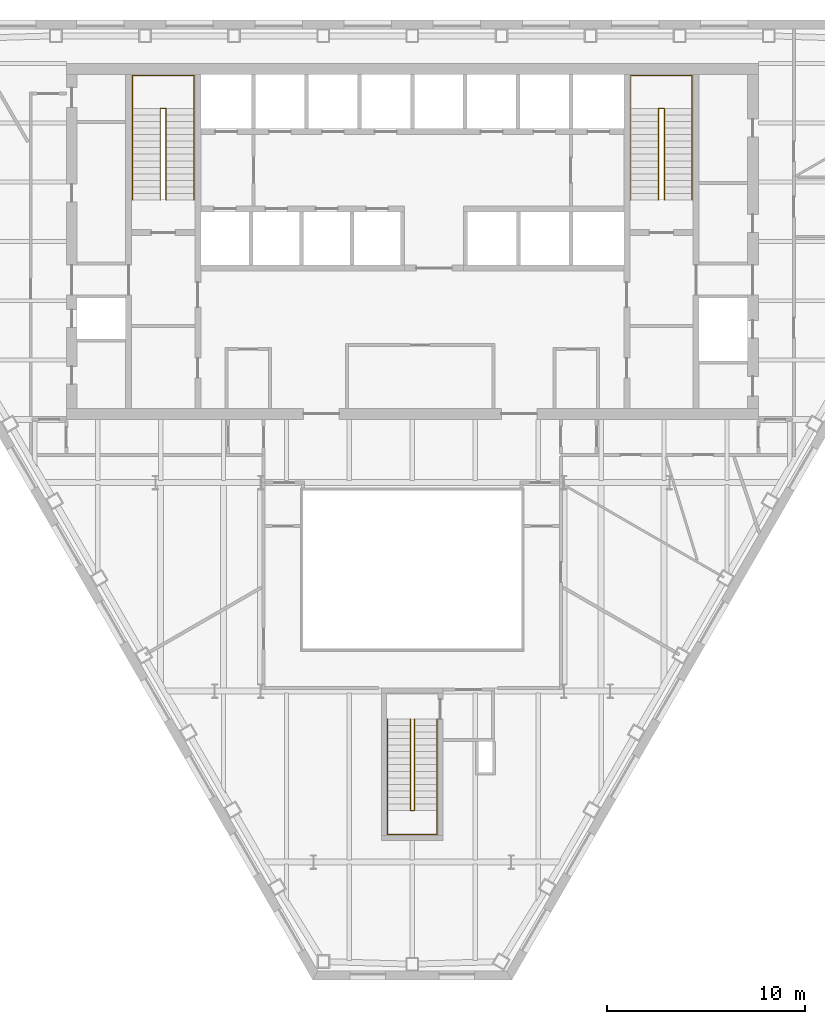
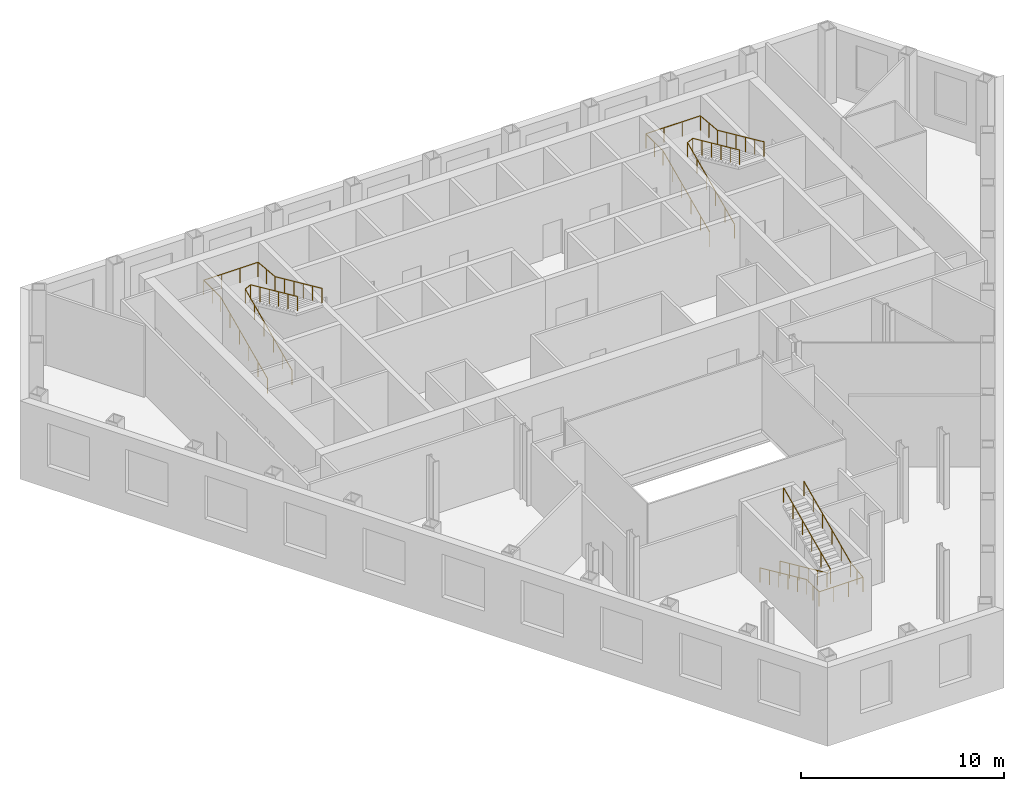
# One storey, part 11 of 11: 6 railings.
"""IFC4 building model written with IfcOpenShell, lengths in metres."""

from ifc_helpers import new_model, si_unit, direction, frame, origin, origin_2d, place, context, subcontext, project, spatial, circle, extrude, material, type_object, element, save


model = new_model("IFC4")

# Units and contexts
model_context = context("Model", 3, precision=1e-05, world=origin(), true_north=direction((0.0, 1.0)))
body_context = subcontext(model_context, "Body", "Model", "MODEL_VIEW")
ifc_project = project(units=[si_unit("LENGTHUNIT", "METRE"), si_unit("AREAUNIT", "SQUARE_METRE"), si_unit("VOLUMEUNIT", "CUBIC_METRE"), si_unit("PLANEANGLEUNIT", "RADIAN"), si_unit("MASSUNIT", "GRAM", prefix="KILO")], contexts=[model_context])

# Site, building, storey
site_placement = place(None, origin())
site = spatial("IfcSite", under=ifc_project, at=site_placement, CompositionType="ELEMENT")
building_placement = place(site_placement, origin())
building = spatial("IfcBuilding", under=site, at=building_placement, Name="Njiva Tower", CompositionType="ELEMENT")
storey_placement = place(building_placement, frame((0.0, 0.0, 106.8)))
storey = spatial("IfcBuildingStorey", under=building, at=storey_placement, Name="L22", CompositionType="ELEMENT", Elevation=106.8)

# Railings
ifc_material = material(Name="Stainless steel", Category="steel")
railing_type = type_object("IfcRailingType", Name="RL1 Stair handrail 900", PredefinedType="HANDRAIL", material=ifc_material)
railing_1_placement = place(storey_placement, frame((-14.15, 11.1, 0.15)))
element("IfcRailing", 1, at=railing_1_placement, inside=storey, type_object=railing_type, Name="Stair A handrail", PredefinedType="HANDRAIL", context=body_context, shape_type="SweptSolid", body=[
    extrude(circle(Radius=0.024, at=origin_2d()), frame((0.0, 0.0, 0.876), z_axis=(0.0, 0.910366477463, 0.413802944301), x_axis=(-1.0, 0.0, 0.0)), (0.0, 0.0, 1.0), 5.0749),
    extrude(circle(Radius=0.024, at=origin_2d()), frame((0.0, 4.62, 2.976), z_axis=(0.0, 1.0, 0.0), x_axis=(-1.0, 0.0, 0.0)), (0.0, 0.0, 1.0), 1.68),
    extrude(circle(Radius=0.024, at=origin_2d()), frame((0.0, 6.3, 2.976), z_axis=(1.0, 0.0, 0.0), x_axis=(0.0, 1.0, 0.0)), (0.0, 0.0, 1.0), 3.1),
    extrude(circle(Radius=0.024, at=origin_2d()), frame((3.1, 6.3, 2.976), z_axis=(0.0, -0.996037705314, 0.088931937975), x_axis=(1.0, 0.0, 0.0)), (0.0, 0.0, 1.0), 1.6867),
    extrude(circle(Radius=0.024, at=origin_2d()), frame((3.1, 4.62, 3.126), z_axis=(0.0, -0.910366477463, 0.413802944301), x_axis=(1.0, 0.0, 0.0)), (0.0, 0.0, 1.0), 5.0749),
    extrude(circle(Radius=0.021, at=origin_2d()), origin(), (0.0, 0.0, 1.0), 0.852),
    extrude(circle(Radius=0.021, at=origin_2d()), frame((0.0, 0.924, 0.42)), (0.0, 0.0, 1.0), 0.852),
    extrude(circle(Radius=0.021, at=origin_2d()), frame((0.0, 1.848, 0.84)), (0.0, 0.0, 1.0), 0.852),
    extrude(circle(Radius=0.021, at=origin_2d()), frame((0.0, 2.772, 1.26)), (0.0, 0.0, 1.0), 0.852),
    extrude(circle(Radius=0.021, at=origin_2d()), frame((0.0, 3.696, 1.68)), (0.0, 0.0, 1.0), 0.852),
    extrude(circle(Radius=0.021, at=origin_2d()), frame((0.0, 4.62, 2.1)), (0.0, 0.0, 1.0), 0.852),
    extrude(circle(Radius=0.021, at=origin_2d()), frame((0.0, 5.46, 2.1)), (0.0, 0.0, 1.0), 0.852),
    extrude(circle(Radius=0.021, at=origin_2d()), frame((0.0, 6.3, 2.1)), (0.0, 0.0, 1.0), 0.852),
    extrude(circle(Radius=0.021, at=origin_2d()), frame((1.0333, 6.3, 2.1)), (0.0, 0.0, 1.0), 0.852),
    extrude(circle(Radius=0.021, at=origin_2d()), frame((2.0667, 6.3, 2.1)), (0.0, 0.0, 1.0), 0.852),
    extrude(circle(Radius=0.021, at=origin_2d()), frame((3.1, 6.3, 2.1)), (0.0, 0.0, 1.0), 0.852),
    extrude(circle(Radius=0.021, at=origin_2d()), frame((3.1, 5.46, 2.175)), (0.0, 0.0, 1.0), 0.852),
    extrude(circle(Radius=0.021, at=origin_2d()), frame((3.1, 4.62, 2.25)), (0.0, 0.0, 1.0), 0.852),
    extrude(circle(Radius=0.021, at=origin_2d()), frame((3.1, 3.696, 2.67)), (0.0, 0.0, 1.0), 0.852),
    extrude(circle(Radius=0.021, at=origin_2d()), frame((3.1, 2.772, 3.09)), (0.0, 0.0, 1.0), 0.852),
    extrude(circle(Radius=0.021, at=origin_2d()), frame((3.1, 1.848, 3.51)), (0.0, 0.0, 1.0), 0.852),
    extrude(circle(Radius=0.021, at=origin_2d()), frame((3.1, 0.924, 3.93)), (0.0, 0.0, 1.0), 0.852),
    extrude(circle(Radius=0.021, at=origin_2d()), frame((3.1, 0.0, 4.35)), (0.0, 0.0, 1.0), 0.852),
])
railing_2_placement = place(storey_placement, frame((-12.75, 11.1, 0.15)))
element("IfcRailing", 2, at=railing_2_placement, inside=storey, type_object=railing_type, Name="Stair A handrail", PredefinedType="HANDRAIL", context=body_context, shape_type="SweptSolid", body=[
    extrude(circle(Radius=0.024, at=origin_2d()), frame((0.0, 0.0, 0.876), z_axis=(0.0, 0.910366477463, 0.413802944301), x_axis=(-1.0, 0.0, 0.0)), (0.0, 0.0, 1.0), 5.0749),
    extrude(circle(Radius=0.024, at=origin_2d()), frame((0.0, 4.62, 2.976), z_axis=(0.894427191, 0.0, 0.4472135955), x_axis=(0.0, 1.0, 0.0)), (0.0, 0.0, 1.0), 0.3354),
    extrude(circle(Radius=0.024, at=origin_2d()), frame((0.3, 4.62, 3.126), z_axis=(0.0, -0.910366477463, 0.413802944301), x_axis=(1.0, 0.0, 0.0)), (0.0, 0.0, 1.0), 5.0749),
    extrude(circle(Radius=0.021, at=origin_2d()), origin(), (0.0, 0.0, 1.0), 0.852),
    extrude(circle(Radius=0.021, at=origin_2d()), frame((0.0, 0.924, 0.42)), (0.0, 0.0, 1.0), 0.852),
    extrude(circle(Radius=0.021, at=origin_2d()), frame((0.0, 1.848, 0.84)), (0.0, 0.0, 1.0), 0.852),
    extrude(circle(Radius=0.021, at=origin_2d()), frame((0.0, 2.772, 1.26)), (0.0, 0.0, 1.0), 0.852),
    extrude(circle(Radius=0.021, at=origin_2d()), frame((0.0, 3.696, 1.68)), (0.0, 0.0, 1.0), 0.852),
    extrude(circle(Radius=0.021, at=origin_2d()), frame((0.0, 4.62, 2.1)), (0.0, 0.0, 1.0), 0.852),
    extrude(circle(Radius=0.021, at=origin_2d()), frame((0.3, 4.62, 2.25)), (0.0, 0.0, 1.0), 0.852),
    extrude(circle(Radius=0.021, at=origin_2d()), frame((0.3, 3.696, 2.67)), (0.0, 0.0, 1.0), 0.852),
    extrude(circle(Radius=0.021, at=origin_2d()), frame((0.3, 2.772, 3.09)), (0.0, 0.0, 1.0), 0.852),
    extrude(circle(Radius=0.021, at=origin_2d()), frame((0.3, 1.848, 3.51)), (0.0, 0.0, 1.0), 0.852),
    extrude(circle(Radius=0.021, at=origin_2d()), frame((0.3, 0.924, 3.93)), (0.0, 0.0, 1.0), 0.852),
    extrude(circle(Radius=0.021, at=origin_2d()), frame((0.3, 0.0, 4.35)), (0.0, 0.0, 1.0), 0.852),
])
railing_3_placement = place(storey_placement, frame((11.05, 11.1, 0.15)))
element("IfcRailing", 3, at=railing_3_placement, inside=storey, type_object=railing_type, Name="Stair B handrail", PredefinedType="HANDRAIL", context=body_context, shape_type="SweptSolid", body=[
    extrude(circle(Radius=0.024, at=origin_2d()), frame((0.0, 0.0, 0.876), z_axis=(0.0, 0.910366477463, 0.413802944301), x_axis=(-1.0, 0.0, 0.0)), (0.0, 0.0, 1.0), 5.0749),
    extrude(circle(Radius=0.024, at=origin_2d()), frame((0.0, 4.62, 2.976), z_axis=(0.0, 1.0, 0.0), x_axis=(-1.0, 0.0, 0.0)), (0.0, 0.0, 1.0), 1.68),
    extrude(circle(Radius=0.024, at=origin_2d()), frame((0.0, 6.3, 2.976), z_axis=(1.0, 0.0, 0.0), x_axis=(0.0, 1.0, 0.0)), (0.0, 0.0, 1.0), 3.1),
    extrude(circle(Radius=0.024, at=origin_2d()), frame((3.1, 6.3, 2.976), z_axis=(0.0, -0.996037705314, 0.088931937975), x_axis=(1.0, 0.0, 0.0)), (0.0, 0.0, 1.0), 1.6867),
    extrude(circle(Radius=0.024, at=origin_2d()), frame((3.1, 4.62, 3.126), z_axis=(0.0, -0.910366477463, 0.413802944301), x_axis=(1.0, 0.0, 0.0)), (0.0, 0.0, 1.0), 5.0749),
    extrude(circle(Radius=0.021, at=origin_2d()), origin(), (0.0, 0.0, 1.0), 0.852),
    extrude(circle(Radius=0.021, at=origin_2d()), frame((0.0, 0.924, 0.42)), (0.0, 0.0, 1.0), 0.852),
    extrude(circle(Radius=0.021, at=origin_2d()), frame((0.0, 1.848, 0.84)), (0.0, 0.0, 1.0), 0.852),
    extrude(circle(Radius=0.021, at=origin_2d()), frame((0.0, 2.772, 1.26)), (0.0, 0.0, 1.0), 0.852),
    extrude(circle(Radius=0.021, at=origin_2d()), frame((0.0, 3.696, 1.68)), (0.0, 0.0, 1.0), 0.852),
    extrude(circle(Radius=0.021, at=origin_2d()), frame((0.0, 4.62, 2.1)), (0.0, 0.0, 1.0), 0.852),
    extrude(circle(Radius=0.021, at=origin_2d()), frame((0.0, 5.46, 2.1)), (0.0, 0.0, 1.0), 0.852),
    extrude(circle(Radius=0.021, at=origin_2d()), frame((0.0, 6.3, 2.1)), (0.0, 0.0, 1.0), 0.852),
    extrude(circle(Radius=0.021, at=origin_2d()), frame((1.0333, 6.3, 2.1)), (0.0, 0.0, 1.0), 0.852),
    extrude(circle(Radius=0.021, at=origin_2d()), frame((2.0667, 6.3, 2.1)), (0.0, 0.0, 1.0), 0.852),
    extrude(circle(Radius=0.021, at=origin_2d()), frame((3.1, 6.3, 2.1)), (0.0, 0.0, 1.0), 0.852),
    extrude(circle(Radius=0.021, at=origin_2d()), frame((3.1, 5.46, 2.175)), (0.0, 0.0, 1.0), 0.852),
    extrude(circle(Radius=0.021, at=origin_2d()), frame((3.1, 4.62, 2.25)), (0.0, 0.0, 1.0), 0.852),
    extrude(circle(Radius=0.021, at=origin_2d()), frame((3.1, 3.696, 2.67)), (0.0, 0.0, 1.0), 0.852),
    extrude(circle(Radius=0.021, at=origin_2d()), frame((3.1, 2.772, 3.09)), (0.0, 0.0, 1.0), 0.852),
    extrude(circle(Radius=0.021, at=origin_2d()), frame((3.1, 1.848, 3.51)), (0.0, 0.0, 1.0), 0.852),
    extrude(circle(Radius=0.021, at=origin_2d()), frame((3.1, 0.924, 3.93)), (0.0, 0.0, 1.0), 0.852),
    extrude(circle(Radius=0.021, at=origin_2d()), frame((3.1, 0.0, 4.35)), (0.0, 0.0, 1.0), 0.852),
])
railing_4_placement = place(storey_placement, frame((12.45, 11.1, 0.15)))
element("IfcRailing", 4, at=railing_4_placement, inside=storey, type_object=railing_type, Name="Stair B handrail", PredefinedType="HANDRAIL", context=body_context, shape_type="SweptSolid", body=[
    extrude(circle(Radius=0.024, at=origin_2d()), frame((0.0, 0.0, 0.876), z_axis=(0.0, 0.910366477463, 0.413802944301), x_axis=(-1.0, 0.0, 0.0)), (0.0, 0.0, 1.0), 5.0749),
    extrude(circle(Radius=0.024, at=origin_2d()), frame((0.0, 4.62, 2.976), z_axis=(0.894427191, 0.0, 0.4472135955), x_axis=(0.0, 1.0, 0.0)), (0.0, 0.0, 1.0), 0.3354),
    extrude(circle(Radius=0.024, at=origin_2d()), frame((0.3, 4.62, 3.126), z_axis=(0.0, -0.910366477463, 0.413802944301), x_axis=(1.0, 0.0, 0.0)), (0.0, 0.0, 1.0), 5.0749),
    extrude(circle(Radius=0.021, at=origin_2d()), origin(), (0.0, 0.0, 1.0), 0.852),
    extrude(circle(Radius=0.021, at=origin_2d()), frame((0.0, 0.924, 0.42)), (0.0, 0.0, 1.0), 0.852),
    extrude(circle(Radius=0.021, at=origin_2d()), frame((0.0, 1.848, 0.84)), (0.0, 0.0, 1.0), 0.852),
    extrude(circle(Radius=0.021, at=origin_2d()), frame((0.0, 2.772, 1.26)), (0.0, 0.0, 1.0), 0.852),
    extrude(circle(Radius=0.021, at=origin_2d()), frame((0.0, 3.696, 1.68)), (0.0, 0.0, 1.0), 0.852),
    extrude(circle(Radius=0.021, at=origin_2d()), frame((0.0, 4.62, 2.1)), (0.0, 0.0, 1.0), 0.852),
    extrude(circle(Radius=0.021, at=origin_2d()), frame((0.3, 4.62, 2.25)), (0.0, 0.0, 1.0), 0.852),
    extrude(circle(Radius=0.021, at=origin_2d()), frame((0.3, 3.696, 2.67)), (0.0, 0.0, 1.0), 0.852),
    extrude(circle(Radius=0.021, at=origin_2d()), frame((0.3, 2.772, 3.09)), (0.0, 0.0, 1.0), 0.852),
    extrude(circle(Radius=0.021, at=origin_2d()), frame((0.3, 1.848, 3.51)), (0.0, 0.0, 1.0), 0.852),
    extrude(circle(Radius=0.021, at=origin_2d()), frame((0.3, 0.924, 3.93)), (0.0, 0.0, 1.0), 0.852),
    extrude(circle(Radius=0.021, at=origin_2d()), frame((0.3, 0.0, 4.35)), (0.0, 0.0, 1.0), 0.852),
])
railing_5_placement = place(storey_placement, frame((-1.25, -15.16, 0.15)))
element("IfcRailing", 5, at=railing_5_placement, inside=storey, type_object=railing_type, Name="Stair C handrail", PredefinedType="HANDRAIL", context=body_context, shape_type="SweptSolid", body=[
    extrude(circle(Radius=0.024, at=origin_2d()), frame((0.0, 0.0, 0.876), z_axis=(0.0, -0.910366477463, 0.413802944301), x_axis=(1.0, 0.0, 0.0)), (0.0, 0.0, 1.0), 5.0749),
    extrude(circle(Radius=0.024, at=origin_2d()), frame((0.0, -4.62, 2.976), z_axis=(0.0, -1.0, 0.0), x_axis=(1.0, 0.0, 0.0)), (0.0, 0.0, 1.0), 1.22),
    extrude(circle(Radius=0.024, at=origin_2d()), frame((0.0, -5.84, 2.976), z_axis=(1.0, 0.0, 0.0), x_axis=(0.0, 1.0, 0.0)), (0.0, 0.0, 1.0), 2.5),
    extrude(circle(Radius=0.024, at=origin_2d()), frame((2.5, -5.84, 2.976), z_axis=(0.0, 0.992526177815, 0.122031907108), x_axis=(-1.0, 0.0, 0.0)), (0.0, 0.0, 1.0), 1.2292),
    extrude(circle(Radius=0.024, at=origin_2d()), frame((2.5, -4.62, 3.126), z_axis=(0.0, 0.910366477463, 0.413802944301), x_axis=(-1.0, 0.0, 0.0)), (0.0, 0.0, 1.0), 5.0749),
    extrude(circle(Radius=0.021, at=origin_2d()), origin(), (0.0, 0.0, 1.0), 0.852),
    extrude(circle(Radius=0.021, at=origin_2d()), frame((0.0, -0.924, 0.42)), (0.0, 0.0, 1.0), 0.852),
    extrude(circle(Radius=0.021, at=origin_2d()), frame((0.0, -1.848, 0.84)), (0.0, 0.0, 1.0), 0.852),
    extrude(circle(Radius=0.021, at=origin_2d()), frame((0.0, -2.772, 1.26)), (0.0, 0.0, 1.0), 0.852),
    extrude(circle(Radius=0.021, at=origin_2d()), frame((0.0, -3.696, 1.68)), (0.0, 0.0, 1.0), 0.852),
    extrude(circle(Radius=0.021, at=origin_2d()), frame((0.0, -4.62, 2.1)), (0.0, 0.0, 1.0), 0.852),
    extrude(circle(Radius=0.021, at=origin_2d()), frame((0.0, -5.23, 2.1)), (0.0, 0.0, 1.0), 0.852),
    extrude(circle(Radius=0.021, at=origin_2d()), frame((0.0, -5.84, 2.1)), (0.0, 0.0, 1.0), 0.852),
    extrude(circle(Radius=0.021, at=origin_2d()), frame((0.8333, -5.84, 2.1)), (0.0, 0.0, 1.0), 0.852),
    extrude(circle(Radius=0.021, at=origin_2d()), frame((1.6667, -5.84, 2.1)), (0.0, 0.0, 1.0), 0.852),
    extrude(circle(Radius=0.021, at=origin_2d()), frame((2.5, -5.84, 2.1)), (0.0, 0.0, 1.0), 0.852),
    extrude(circle(Radius=0.021, at=origin_2d()), frame((2.5, -5.23, 2.175)), (0.0, 0.0, 1.0), 0.852),
    extrude(circle(Radius=0.021, at=origin_2d()), frame((2.5, -4.62, 2.25)), (0.0, 0.0, 1.0), 0.852),
    extrude(circle(Radius=0.021, at=origin_2d()), frame((2.5, -3.696, 2.67)), (0.0, 0.0, 1.0), 0.852),
    extrude(circle(Radius=0.021, at=origin_2d()), frame((2.5, -2.772, 3.09)), (0.0, 0.0, 1.0), 0.852),
    extrude(circle(Radius=0.021, at=origin_2d()), frame((2.5, -1.848, 3.51)), (0.0, 0.0, 1.0), 0.852),
    extrude(circle(Radius=0.021, at=origin_2d()), frame((2.5, -0.924, 3.93)), (0.0, 0.0, 1.0), 0.852),
    extrude(circle(Radius=0.021, at=origin_2d()), frame((2.5, 0.0, 4.35)), (0.0, 0.0, 1.0), 0.852),
])
railing_6_placement = place(storey_placement, frame((-0.1, -15.16, 0.15)))
element("IfcRailing", 6, at=railing_6_placement, inside=storey, type_object=railing_type, Name="Stair C handrail", PredefinedType="HANDRAIL", context=body_context, shape_type="SweptSolid", body=[
    extrude(circle(Radius=0.024, at=origin_2d()), frame((0.0, 0.0, 0.876), z_axis=(0.0, -0.910366477463, 0.413802944301), x_axis=(1.0, 0.0, 0.0)), (0.0, 0.0, 1.0), 5.0749),
    extrude(circle(Radius=0.024, at=origin_2d()), frame((0.0, -4.62, 2.976), z_axis=(0.8, 0.0, 0.6), x_axis=(0.0, 1.0, 0.0)), (0.0, 0.0, 1.0), 0.25),
    extrude(circle(Radius=0.024, at=origin_2d()), frame((0.2, -4.62, 3.126), z_axis=(0.0, 0.910366477463, 0.413802944301), x_axis=(-1.0, 0.0, 0.0)), (0.0, 0.0, 1.0), 5.0749),
    extrude(circle(Radius=0.021, at=origin_2d()), origin(), (0.0, 0.0, 1.0), 0.852),
    extrude(circle(Radius=0.021, at=origin_2d()), frame((0.0, -0.924, 0.42)), (0.0, 0.0, 1.0), 0.852),
    extrude(circle(Radius=0.021, at=origin_2d()), frame((0.0, -1.848, 0.84)), (0.0, 0.0, 1.0), 0.852),
    extrude(circle(Radius=0.021, at=origin_2d()), frame((0.0, -2.772, 1.26)), (0.0, 0.0, 1.0), 0.852),
    extrude(circle(Radius=0.021, at=origin_2d()), frame((0.0, -3.696, 1.68)), (0.0, 0.0, 1.0), 0.852),
    extrude(circle(Radius=0.021, at=origin_2d()), frame((0.0, -4.62, 2.1)), (0.0, 0.0, 1.0), 0.852),
    extrude(circle(Radius=0.021, at=origin_2d()), frame((0.2, -4.62, 2.25)), (0.0, 0.0, 1.0), 0.852),
    extrude(circle(Radius=0.021, at=origin_2d()), frame((0.2, -3.696, 2.67)), (0.0, 0.0, 1.0), 0.852),
    extrude(circle(Radius=0.021, at=origin_2d()), frame((0.2, -2.772, 3.09)), (0.0, 0.0, 1.0), 0.852),
    extrude(circle(Radius=0.021, at=origin_2d()), frame((0.2, -1.848, 3.51)), (0.0, 0.0, 1.0), 0.852),
    extrude(circle(Radius=0.021, at=origin_2d()), frame((0.2, -0.924, 3.93)), (0.0, 0.0, 1.0), 0.852),
    extrude(circle(Radius=0.021, at=origin_2d()), frame((0.2, 0.0, 4.35)), (0.0, 0.0, 1.0), 0.852),
])

save(model, "model.ifc")
